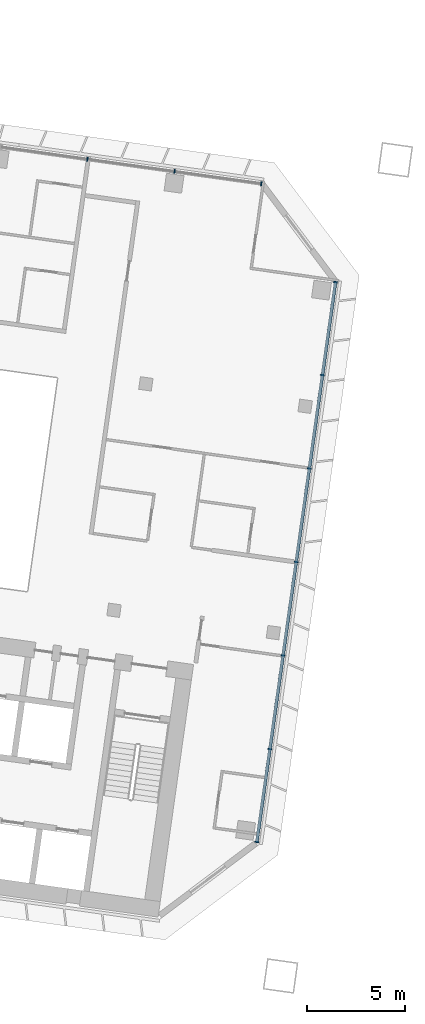
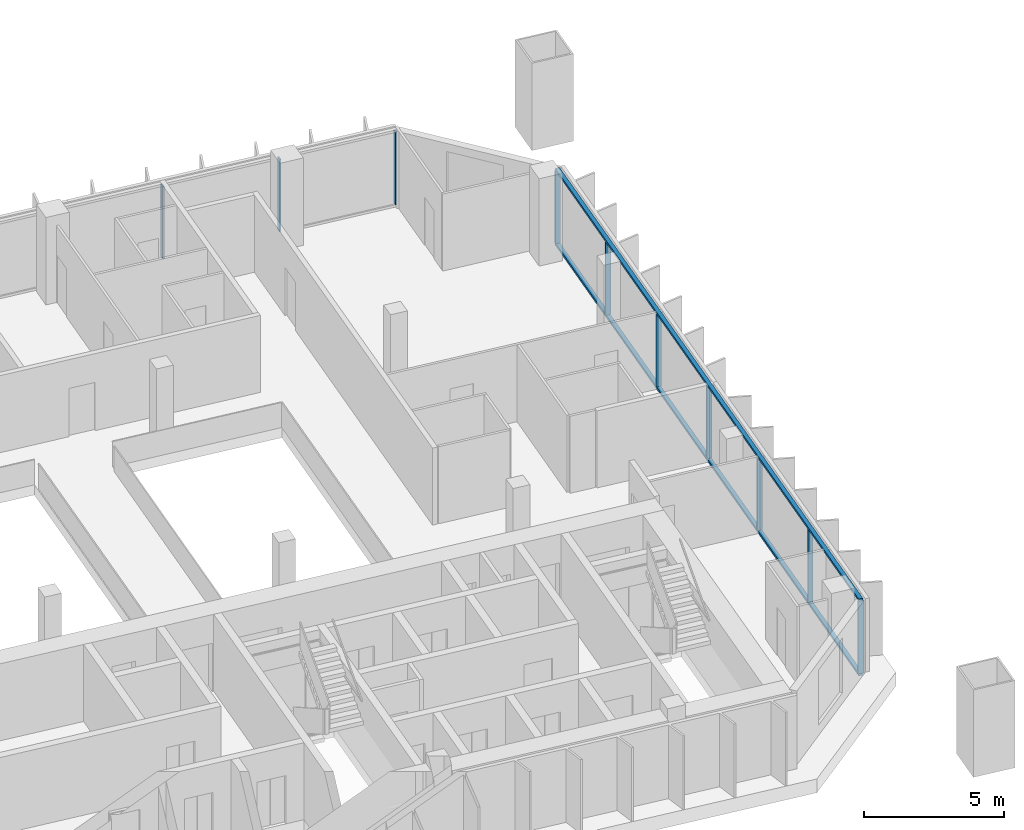
# One storey, part 6 of 26: 12 members, 2 elements without a shape of their own.
"""IFC4 building model written with IfcOpenShell, lengths in metres."""

from ifc_helpers import new_model, si_unit, direction, frame, origin, origin_2d, place, context, subcontext, project, spatial, rectangle, extrude, material, material_profile, profile_set, type_object, element, aggregate, save


model = new_model("IFC4")

# Units and contexts
model_context = context("Model", 3, precision=1e-05, world=origin(), true_north=direction((0.0, 1.0)))
body_context = subcontext(model_context, "Body", "Model", "MODEL_VIEW")
ifc_project = project(units=[si_unit("LENGTHUNIT", "METRE"), si_unit("AREAUNIT", "SQUARE_METRE"), si_unit("VOLUMEUNIT", "CUBIC_METRE"), si_unit("PLANEANGLEUNIT", "RADIAN"), si_unit("MASSUNIT", "GRAM", prefix="KILO")], contexts=[model_context])

# Site, building, storey
site_placement = place(None, origin())
site = spatial("IfcSite", under=ifc_project, at=site_placement, CompositionType="ELEMENT")
building_placement = place(site_placement, origin())
building = spatial("IfcBuilding", under=site, at=building_placement, Name="Mirante Cascada Hotel Towers", CompositionType="ELEMENT")
storey_placement = place(building_placement, frame((0.0, 0.0, 106.3)))
storey = spatial("IfcBuildingStorey", under=building, at=storey_placement, Name="L23", CompositionType="ELEMENT", Elevation=106.3)

# Curtain wall, members
ifc_material_1 = material(Name="Aluminium mullion and transom frame with clear laminated glass", Category="aluminium")
curtain_wall_type_1 = type_object("IfcCurtainWallType", Name="Ribbon curtain wall ECW1", PredefinedType="NOTDEFINED", material=ifc_material_1)
curtain_wall_1_placement = place(storey_placement, origin())
curtain_wall_1 = element("IfcCurtainWall", 1, at=curtain_wall_1_placement, inside=storey, type_object=curtain_wall_type_1, Name="Front ribbon wall T1 L23", PredefinedType="NOTDEFINED")
ifc_material_2 = material(Name="Anodised aluminium extrusion", Category="aluminium")
ifc_material_profile_1 = material_profile(ifc_material_2, rectangle(XDim=0.2, YDim=0.065, at=origin_2d()), Name="ECW1 MULLION 65x200")
ifc_profile_set_1 = profile_set([ifc_material_profile_1], Name="Anodised aluminium extrusion")
member_type_1 = type_object("IfcMemberType", Name="ECW1 mullion 65x200", PredefinedType="MULLION", material=ifc_profile_set_1)
member_1_placement = place(storey_placement, frame((-40.7892, 18.5516, 0.1), z_axis=(0.0, 0.0, 1.0), x_axis=(0.1391731, 0.9902681, 0.0)))
member_1 = element("IfcMember", 2, at=member_1_placement, type_object=member_type_1, Name="ECW1 mullion 13", PredefinedType="MULLION", context=body_context, shape_type="SweptSolid", body=[
    extrude(rectangle(XDim=0.2, YDim=0.065, at=origin_2d()), origin(), (0.0, 0.0, 1.0), 3.15),
])
member_2_placement = place(storey_placement, frame((-36.3417, 17.9265, 0.1), z_axis=(0.0, 0.0, 1.0), x_axis=(0.1391731, 0.9902681, 0.0)))
member_2 = element("IfcMember", 3, at=member_2_placement, type_object=member_type_1, Name="ECW1 mullion 14", PredefinedType="MULLION", context=body_context, shape_type="SweptSolid", body=[
    extrude(rectangle(XDim=0.2, YDim=0.065, at=origin_2d()), origin(), (0.0, 0.0, 1.0), 3.15),
])
member_3_placement = place(storey_placement, frame((-31.9265, 17.306, 0.1), z_axis=(0.0, 0.0, 1.0), x_axis=(0.1391731, 0.9902681, 0.0)))
member_3 = element("IfcMember", 4, at=member_3_placement, type_object=member_type_1, Name="ECW1 mullion 15", PredefinedType="MULLION", context=body_context, shape_type="SweptSolid", body=[
    extrude(rectangle(XDim=0.2, YDim=0.065, at=origin_2d()), origin(), (0.0, 0.0, 1.0), 3.15),
])
aggregate(curtain_wall_1, [member_1, member_2, member_3])

ifc_material_3 = material(Name="Aluminium mullion and transom frame with clear laminated glass", Category="aluminium")
curtain_wall_type_2 = type_object("IfcCurtainWallType", Name="End ribbon curtain wall ECW2", PredefinedType="NOTDEFINED", material=ifc_material_3)
curtain_wall_2_placement = place(storey_placement, origin())
curtain_wall_2 = element("IfcCurtainWall", 5, at=curtain_wall_2_placement, inside=storey, type_object=curtain_wall_type_2, Name="Inner end wall T1 L23", PredefinedType="NOTDEFINED")
ifc_material_4 = material(Name="Anodised aluminium extrusion", Category="aluminium")
ifc_material_profile_2 = material_profile(ifc_material_4, rectangle(XDim=0.2, YDim=0.065, at=origin_2d()), Name="ECW2 MULLION 65x200")
ifc_profile_set_2 = profile_set([ifc_material_profile_2], Name="Anodised aluminium extrusion")
member_type_2 = type_object("IfcMemberType", Name="ECW2 mullion 65x200", PredefinedType="MULLION", material=ifc_profile_set_2)
member_4_placement = place(storey_placement, frame((-28.1437, 12.2861, 0.1), z_axis=(0.0, 0.0, 1.0), x_axis=(0.9902681, -0.1391731, 0.0)))
member_4 = element("IfcMember", 6, at=member_4_placement, type_object=member_type_2, Name="ECW2 mullion 1", PredefinedType="MULLION", context=body_context, shape_type="SweptSolid", body=[
    extrude(rectangle(XDim=0.2, YDim=0.065, at=origin_2d()), origin(), (0.0, 0.0, 1.0), 3.15),
])
member_5_placement = place(storey_placement, frame((-28.809, 7.5524, 0.1), z_axis=(0.0, 0.0, 1.0), x_axis=(0.9902681, -0.1391731, 0.0)))
member_5 = element("IfcMember", 7, at=member_5_placement, type_object=member_type_2, Name="ECW2 mullion 2", PredefinedType="MULLION", context=body_context, shape_type="SweptSolid", body=[
    extrude(rectangle(XDim=0.2, YDim=0.065, at=origin_2d()), origin(), (0.0, 0.0, 1.0), 3.15),
])
member_6_placement = place(storey_placement, frame((-29.4788, 2.7867, 0.1), z_axis=(0.0, 0.0, 1.0), x_axis=(0.9902681, -0.1391731, 0.0)))
member_6 = element("IfcMember", 8, at=member_6_placement, type_object=member_type_2, Name="ECW2 mullion 3", PredefinedType="MULLION", context=body_context, shape_type="SweptSolid", body=[
    extrude(rectangle(XDim=0.2, YDim=0.065, at=origin_2d()), origin(), (0.0, 0.0, 1.0), 3.15),
])
member_7_placement = place(storey_placement, frame((-30.1485, -1.9791, 0.1), z_axis=(0.0, 0.0, 1.0), x_axis=(0.9902681, -0.1391731, 0.0)))
member_7 = element("IfcMember", 9, at=member_7_placement, type_object=member_type_2, Name="ECW2 mullion 4", PredefinedType="MULLION", context=body_context, shape_type="SweptSolid", body=[
    extrude(rectangle(XDim=0.2, YDim=0.065, at=origin_2d()), origin(), (0.0, 0.0, 1.0), 3.15),
])
member_8_placement = place(storey_placement, frame((-30.8183, -6.7449, 0.1), z_axis=(0.0, 0.0, 1.0), x_axis=(0.9902681, -0.1391731, 0.0)))
member_8 = element("IfcMember", 10, at=member_8_placement, type_object=member_type_2, Name="ECW2 mullion 5", PredefinedType="MULLION", context=body_context, shape_type="SweptSolid", body=[
    extrude(rectangle(XDim=0.2, YDim=0.065, at=origin_2d()), origin(), (0.0, 0.0, 1.0), 3.15),
])
member_9_placement = place(storey_placement, frame((-31.4881, -11.5107, 0.1), z_axis=(0.0, 0.0, 1.0), x_axis=(0.9902681, -0.1391731, 0.0)))
member_9 = element("IfcMember", 11, at=member_9_placement, type_object=member_type_2, Name="ECW2 mullion 6", PredefinedType="MULLION", context=body_context, shape_type="SweptSolid", body=[
    extrude(rectangle(XDim=0.2, YDim=0.065, at=origin_2d()), origin(), (0.0, 0.0, 1.0), 3.15),
])
member_10_placement = place(storey_placement, frame((-32.1534, -16.2443, 0.1), z_axis=(0.0, 0.0, 1.0), x_axis=(0.9902681, -0.1391731, 0.0)))
member_10 = element("IfcMember", 12, at=member_10_placement, type_object=member_type_2, Name="ECW2 mullion 7", PredefinedType="MULLION", context=body_context, shape_type="SweptSolid", body=[
    extrude(rectangle(XDim=0.2, YDim=0.065, at=origin_2d()), origin(), (0.0, 0.0, 1.0), 3.15),
])
ifc_material_5 = material(Name="Anodised aluminium extrusion", Category="aluminium")
ifc_material_profile_3 = material_profile(ifc_material_5, rectangle(XDim=0.16, YDim=0.1, at=origin_2d()), Name="ECW2 TRANSOM 100x160")
ifc_profile_set_3 = profile_set([ifc_material_profile_3], Name="Anodised aluminium extrusion")
member_type_3 = type_object("IfcMemberType", Name="ECW2 transom 100x160", PredefinedType="USERDEFINED", material=ifc_profile_set_3)
member_11_placement = place(storey_placement, frame((-28.1392, 12.3182, 0.05), z_axis=(-0.1391723, -0.9902682, 0.0), x_axis=(0.9902682, -0.1391723, 0.0)))
member_11 = element("IfcMember", 13, at=member_11_placement, type_object=member_type_3, Name="ECW2 sill transom", ObjectType="TRANSOM", PredefinedType="USERDEFINED", context=body_context, shape_type="SweptSolid", body=[
    extrude(rectangle(XDim=0.16, YDim=0.1, at=origin_2d()), origin(), (0.0, 0.0, 1.0), 28.8757),
])
member_12_placement = place(storey_placement, frame((-28.1392, 12.3182, 3.3), z_axis=(-0.1391723, -0.9902682, 0.0), x_axis=(0.9902682, -0.1391723, 0.0)))
member_12 = element("IfcMember", 14, at=member_12_placement, type_object=member_type_3, Name="ECW2 head transom", ObjectType="TRANSOM", PredefinedType="USERDEFINED", context=body_context, shape_type="SweptSolid", body=[
    extrude(rectangle(XDim=0.16, YDim=0.1, at=origin_2d()), origin(), (0.0, 0.0, 1.0), 28.8757),
])
aggregate(curtain_wall_2, [member_11, member_12, member_4, member_5, member_6, member_7, member_8, member_9, member_10])

save(model, "model.ifc")
